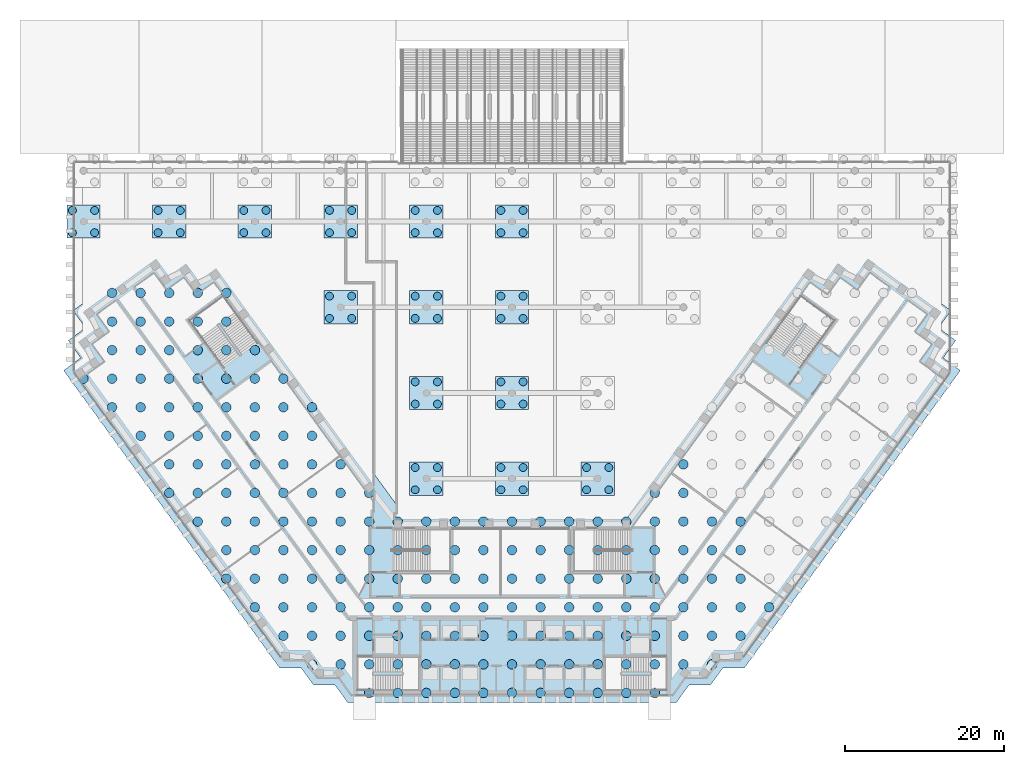
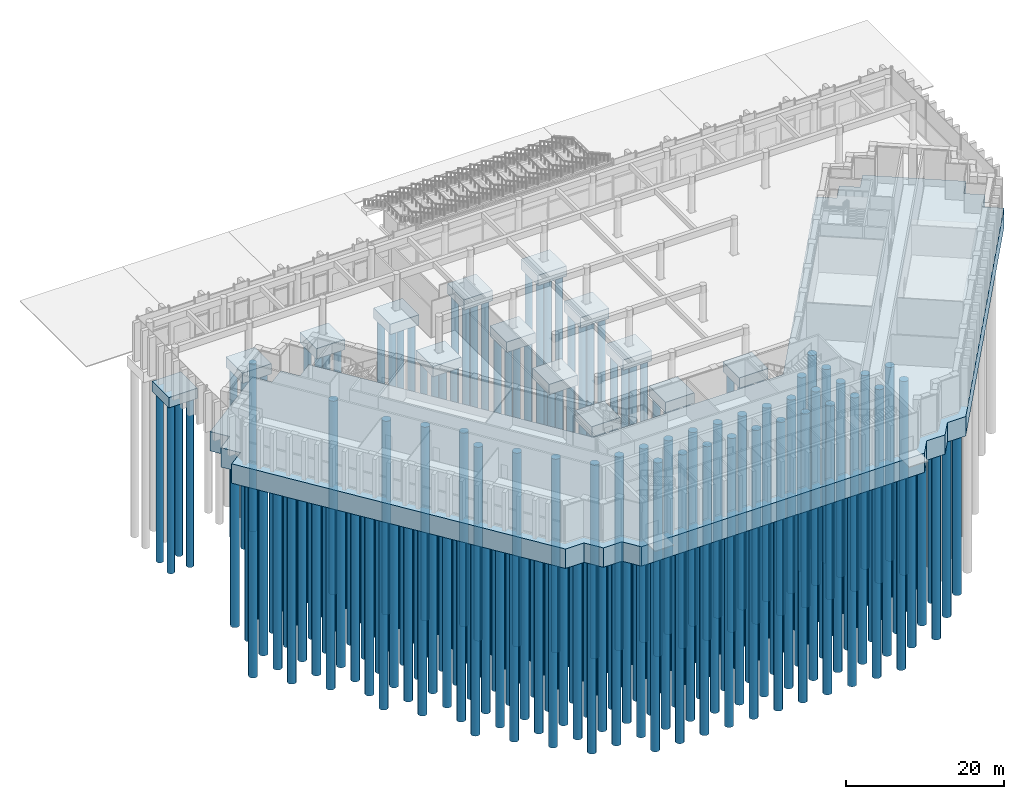
# One storey, part 1 of 32: 233 piles, 15 footings.
"""IFC4 building model written with IfcOpenShell, lengths in metres."""

from ifc_helpers import new_model, si_unit, direction, frame, origin, origin_2d, place, context, subcontext, project, spatial, polyline, rectangle, circle, outline, extrude, material, layer, layer_set, material_profile, profile_set, type_object, element, save


model = new_model("IFC4")

# Units and contexts
model_context = context("Model", 3, precision=1e-05, world=origin(), true_north=direction((0.0, 1.0)))
body_context = subcontext(model_context, "Body", "Model", "MODEL_VIEW")
ifc_project = project(units=[si_unit("LENGTHUNIT", "METRE"), si_unit("AREAUNIT", "SQUARE_METRE"), si_unit("VOLUMEUNIT", "CUBIC_METRE"), si_unit("PLANEANGLEUNIT", "RADIAN"), si_unit("MASSUNIT", "GRAM", prefix="KILO")], contexts=[model_context])

# Site, building, storey
site_placement = place(None, origin())
site = spatial("IfcSite", under=ifc_project, at=site_placement, CompositionType="ELEMENT")
building_placement = place(site_placement, origin())
building = spatial("IfcBuilding", under=site, at=building_placement, Name="Quipu Civic Tower", CompositionType="ELEMENT")
storey_placement = place(building_placement, origin())
storey = spatial("IfcBuildingStorey", under=building, at=storey_placement, Name="L00", CompositionType="ELEMENT", Elevation=0.0)

# Piles
ifc_material_1 = material(Name="Concrete C40/50", Category="concrete")
ifc_material_profile_1 = material_profile(ifc_material_1, circle(Radius=0.5, at=origin_2d()), Name="RCD1000")
ifc_profile_set_1 = profile_set([ifc_material_profile_1], Name="Concrete C40/50")
pile_type_1 = type_object("IfcPileType", Name="Bored pile D1000 C40/50", PredefinedType="BORED", material=ifc_profile_set_1)
for number, where, z_axis, x_axis, name in (
    (1, (-12.199951171875, 14.800048828125, -2.0), (0.0, 0.0, -1.0), (1.0, 0.0, 0.0), "Bored pile H01-1"),
    (2, (-9.39990234375, 14.800048828125, -2.0), (0.0, 0.0, -1.0), (1.0, 0.0, 0.0), "Bored pile H01-2"),
    (3, (-12.199951171875, 17.60009765625, -2.0), (0.0, 0.0, -1.0), (1.0, 0.0, 0.0), "Bored pile H01-3"),
    (4, (-9.39990234375, 17.60009765625, -2.0), (0.0, 0.0, -1.0), (1.0, 0.0, 0.0), "Bored pile H01-4"),
    (5, (-1.39990234375, 14.800048828125, -2.0), (0.0, 0.0, -1.0), (1.0, 0.0, 0.0), "Bored pile H02-1"),
    (6, (1.39990234375, 14.800048828125, -2.0), (0.0, 0.0, -1.0), (1.0, 0.0, 0.0), "Bored pile H02-2"),
    (7, (-1.39990234375, 17.60009765625, -2.0), (0.0, 0.0, -1.0), (1.0, 0.0, 0.0), "Bored pile H02-3"),
    (8, (1.39990234375, 17.60009765625, -2.0), (0.0, 0.0, -1.0), (1.0, 0.0, 0.0), "Bored pile H02-4"),
    (9, (9.39990234375, 14.800048828125, -2.0), (0.0, 0.0, -1.0), (1.0, 0.0, 0.0), "Bored pile H03-1"),
    (10, (12.199951171875, 14.800048828125, -2.0), (0.0, 0.0, -1.0), (1.0, 0.0, 0.0), "Bored pile H03-2"),
    (11, (9.39990234375, 17.60009765625, -2.0), (0.0, 0.0, -1.0), (1.0, 0.0, 0.0), "Bored pile H03-3"),
    (12, (12.199951171875, 17.60009765625, -2.0), (0.0, 0.0, -1.0), (1.0, 0.0, 0.0), "Bored pile H03-4"),
    (13, (-12.199951171875, 25.60009765625, -2.0), (0.0, 0.0, -1.0), (1.0, 0.0, 0.0), "Bored pile H04-1"),
    (14, (-9.39990234375, 25.60009765625, -2.0), (0.0, 0.0, -1.0), (1.0, 0.0, 0.0), "Bored pile H04-2"),
    (15, (-12.199951171875, 28.39990234375, -2.0), (0.0, 0.0, -1.0), (1.0, 0.0, 0.0), "Bored pile H04-3"),
    (16, (-9.39990234375, 28.39990234375, -2.0), (0.0, 0.0, -1.0), (1.0, 0.0, 0.0), "Bored pile H04-4"),
    (17, (-1.39990234375, 25.60009765625, -2.0), (0.0, 0.0, -1.0), (1.0, 0.0, 0.0), "Bored pile H05-1"),
    (18, (1.39990234375, 25.60009765625, -2.0), (0.0, 0.0, -1.0), (1.0, 0.0, 0.0), "Bored pile H05-2"),
    (19, (-1.39990234375, 28.39990234375, -2.0), (0.0, 0.0, -1.0), (1.0, 0.0, 0.0), "Bored pile H05-3"),
    (20, (1.39990234375, 28.39990234375, -2.0), (0.0, 0.0, -1.0), (1.0, 0.0, 0.0), "Bored pile H05-4"),
    (21, (-23.0, 36.39990234375, -2.0), (0.0, 0.0, -1.0), (1.0, 0.0, 0.0), "Bored pile H07-1"),
    (22, (-20.199951171875, 36.39990234375, -2.0), (0.0, 0.0, -1.0), (1.0, 0.0, 0.0), "Bored pile H07-2"),
    (23, (-23.0, 39.199951171875, -2.0), (0.0, 0.0, -1.0), (1.0, 0.0, 0.0), "Bored pile H07-3"),
    (24, (-20.199951171875, 39.199951171875, -2.0), (0.0, 0.0, -1.0), (1.0, 0.0, 0.0), "Bored pile H07-4"),
    (25, (-12.199951171875, 36.39990234375, -2.0), (0.0, 0.0, -1.0), (1.0, 0.0, 0.0), "Bored pile H08-1"),
    (26, (-9.39990234375, 36.39990234375, -2.0), (0.0, 0.0, -1.0), (1.0, 0.0, 0.0), "Bored pile H08-2"),
    (27, (-12.199951171875, 39.199951171875, -2.0), (0.0, 0.0, -1.0), (1.0, 0.0, 0.0), "Bored pile H08-3"),
    (28, (-9.39990234375, 39.199951171875, -2.0), (0.0, 0.0, -1.0), (1.0, 0.0, 0.0), "Bored pile H08-4"),
    (29, (-1.39990234375, 36.39990234375, -2.0), (0.0, 0.0, -1.0), (1.0, 0.0, 0.0), "Bored pile H09-1"),
    (30, (1.39990234375, 36.39990234375, -2.0), (0.0, 0.0, -1.0), (1.0, 0.0, 0.0), "Bored pile H09-2"),
    (31, (-1.39990234375, 39.199951171875, -2.0), (0.0, 0.0, -1.0), (1.0, 0.0, 0.0), "Bored pile H09-3"),
    (32, (1.39990234375, 39.199951171875, -2.0), (0.0, 0.0, -1.0), (1.0, 0.0, 0.0), "Bored pile H09-4"),
    (33, (-55.39990234375, 47.199951171875, -2.0), (0.0, 0.0, -1.0), (1.0, 0.0, 0.0), "Bored pile H12-1"),
    (34, (-52.60009765625, 47.199951171875, -2.0), (0.0, 0.0, -1.0), (1.0, 0.0, 0.0), "Bored pile H12-2"),
    (35, (-55.39990234375, 50.0, -2.0), (0.0, 0.0, -1.0), (1.0, 0.0, 0.0), "Bored pile H12-3"),
    (36, (-52.60009765625, 50.0, -2.0), (0.0, 0.0, -1.0), (1.0, 0.0, 0.0), "Bored pile H12-4"),
    (37, (-44.60009765625, 47.199951171875, -2.0), (0.0, 0.0, -1.0), (1.0, 0.0, 0.0), "Bored pile H13-1"),
    (38, (-41.800048828125, 47.199951171875, -2.0), (0.0, 0.0, -1.0), (1.0, 0.0, 0.0), "Bored pile H13-2"),
    (39, (-44.60009765625, 50.0, -2.0), (0.0, 0.0, -1.0), (1.0, 0.0, 0.0), "Bored pile H13-3"),
    (40, (-41.800048828125, 50.0, -2.0), (0.0, 0.0, -1.0), (1.0, 0.0, 0.0), "Bored pile H13-4"),
    (41, (-33.800048828125, 47.199951171875, -2.0), (0.0, 0.0, -1.0), (1.0, 0.0, 0.0), "Bored pile H14-1"),
    (42, (-31.0, 47.199951171875, -2.0), (0.0, 0.0, -1.0), (1.0, 0.0, 0.0), "Bored pile H14-2"),
    (43, (-33.800048828125, 50.0, -2.0), (0.0, 0.0, -1.0), (1.0, 0.0, 0.0), "Bored pile H14-3"),
    (44, (-31.0, 50.0, -2.0), (0.0, 0.0, -1.0), (1.0, 0.0, 0.0), "Bored pile H14-4"),
    (45, (-23.0, 47.199951171875, -2.0), (0.0, 0.0, -1.0), (1.0, 0.0, 0.0), "Bored pile H15-1"),
    (46, (-20.199951171875, 47.199951171875, -2.0), (0.0, 0.0, -1.0), (1.0, 0.0, 0.0), "Bored pile H15-2"),
    (47, (-23.0, 50.0, -2.0), (0.0, 0.0, -1.0), (1.0, 0.0, 0.0), "Bored pile H15-3"),
    (48, (-20.199951171875, 50.0, -2.0), (0.0, 0.0, -1.0), (1.0, 0.0, 0.0), "Bored pile H15-4"),
    (49, (-12.199951171875, 47.199951171875, -2.0), (0.0, 0.0, -1.0), (1.0, 0.0, 0.0), "Bored pile H16-1"),
    (50, (-9.39990234375, 47.199951171875, -2.0), (0.0, 0.0, -1.0), (1.0, 0.0, 0.0), "Bored pile H16-2"),
    (51, (-12.199951171875, 50.0, -2.0), (0.0, 0.0, -1.0), (1.0, 0.0, 0.0), "Bored pile H16-3"),
    (52, (-9.39990234375, 50.0, -2.0), (0.0, 0.0, -1.0), (1.0, 0.0, 0.0), "Bored pile H16-4"),
    (53, (-1.39990234375, 47.199951171875, -2.0), (0.0, 0.0, -1.0), (1.0, 0.0, 0.0), "Bored pile H17-1"),
    (54, (1.39990234375, 47.199951171875, -2.0), (0.0, 0.0, -1.0), (1.0, 0.0, 0.0), "Bored pile H17-2"),
    (55, (-1.39990234375, 50.0, -2.0), (0.0, 0.0, -1.0), (1.0, 0.0, 0.0), "Bored pile H17-3"),
    (56, (1.39990234375, 50.0, -2.0), (0.0, 0.0, -1.0), (1.0, 0.0, 0.0), "Bored pile H17-4"),
):
    element("IfcPile", number, at=place(storey_placement, frame(where, z_axis=z_axis, x_axis=x_axis)), inside=storey, type_object=pile_type_1, Name=name, PredefinedType="BORED", context=body_context, shape_type="SweptSolid", body=[
        extrude(circle(Radius=0.5, at=origin_2d()), origin(), (0.0, 0.0, 1.0), 26.0),
    ])
ifc_material_2 = material(Name="Concrete C40/50", Category="concrete")
ifc_material_profile_2 = material_profile(ifc_material_2, circle(Radius=0.60009765625, at=origin_2d()), Name="RCD1200")
ifc_profile_set_2 = profile_set([ifc_material_profile_2], Name="Concrete C40/50")
pile_type_2 = type_object("IfcPileType", Name="Bored pile D1200 C40/50", PredefinedType="BORED", material=ifc_profile_set_2)
for number, where, z_axis, x_axis, name in (
    (57, (-54.0, 28.800048828125, -3.39990234375), (0.0, 0.0, -1.0), (1.0, 0.0, 0.0), "Bored pile R1-001"),
    (58, (-50.39990234375, 25.199951171875, -3.39990234375), (0.0, 0.0, -1.0), (1.0, 0.0, 0.0), "Bored pile R1-002"),
    (59, (-50.39990234375, 28.800048828125, -3.39990234375), (0.0, 0.0, -1.0), (1.0, 0.0, 0.0), "Bored pile R1-003"),
    (60, (-50.39990234375, 32.39990234375, -3.39990234375), (0.0, 0.0, -1.0), (1.0, 0.0, 0.0), "Bored pile R1-004"),
    (61, (-50.39990234375, 36.0, -3.39990234375), (0.0, 0.0, -1.0), (1.0, 0.0, 0.0), "Bored pile R1-005"),
    (62, (-50.39990234375, 39.60009765625, -3.39990234375), (0.0, 0.0, -1.0), (1.0, 0.0, 0.0), "Bored pile R1-006"),
    (63, (-46.800048828125, 21.60009765625, -3.39990234375), (0.0, 0.0, -1.0), (1.0, 0.0, 0.0), "Bored pile R1-007"),
    (64, (-46.800048828125, 25.199951171875, -3.39990234375), (0.0, 0.0, -1.0), (1.0, 0.0, 0.0), "Bored pile R1-008"),
    (65, (-46.800048828125, 28.800048828125, -3.39990234375), (0.0, 0.0, -1.0), (1.0, 0.0, 0.0), "Bored pile R1-009"),
    (66, (-46.800048828125, 32.39990234375, -3.39990234375), (0.0, 0.0, -1.0), (1.0, 0.0, 0.0), "Bored pile R1-010"),
    (67, (-46.800048828125, 36.0, -3.39990234375), (0.0, 0.0, -1.0), (1.0, 0.0, 0.0), "Bored pile R1-011"),
    (68, (-46.800048828125, 39.60009765625, -3.39990234375), (0.0, 0.0, -1.0), (1.0, 0.0, 0.0), "Bored pile R1-012"),
    (69, (-43.199951171875, 14.39990234375, -3.39990234375), (0.0, 0.0, -1.0), (1.0, 0.0, 0.0), "Bored pile R1-013"),
    (70, (-43.199951171875, 18.0, -3.39990234375), (0.0, 0.0, -1.0), (1.0, 0.0, 0.0), "Bored pile R1-014"),
    (71, (-43.199951171875, 21.60009765625, -3.39990234375), (0.0, 0.0, -1.0), (1.0, 0.0, 0.0), "Bored pile R1-015"),
    (72, (-43.199951171875, 25.199951171875, -3.39990234375), (0.0, 0.0, -1.0), (1.0, 0.0, 0.0), "Bored pile R1-016"),
    (73, (-43.199951171875, 28.800048828125, -3.39990234375), (0.0, 0.0, -1.0), (1.0, 0.0, 0.0), "Bored pile R1-017"),
    (74, (-43.199951171875, 32.39990234375, -3.39990234375), (0.0, 0.0, -1.0), (1.0, 0.0, 0.0), "Bored pile R1-018"),
    (75, (-43.199951171875, 36.0, -3.39990234375), (0.0, 0.0, -1.0), (1.0, 0.0, 0.0), "Bored pile R1-019"),
    (76, (-43.199951171875, 39.60009765625, -3.39990234375), (0.0, 0.0, -1.0), (1.0, 0.0, 0.0), "Bored pile R1-020"),
    (77, (-39.60009765625, 10.800048828125, -3.39990234375), (0.0, 0.0, -1.0), (1.0, 0.0, 0.0), "Bored pile R1-021"),
    (78, (-39.60009765625, 14.39990234375, -3.39990234375), (0.0, 0.0, -1.0), (1.0, 0.0, 0.0), "Bored pile R1-022"),
    (79, (-39.60009765625, 18.0, -3.39990234375), (0.0, 0.0, -1.0), (1.0, 0.0, 0.0), "Bored pile R1-023"),
    (80, (-39.60009765625, 21.60009765625, -3.39990234375), (0.0, 0.0, -1.0), (1.0, 0.0, 0.0), "Bored pile R1-024"),
    (81, (-39.60009765625, 25.199951171875, -3.39990234375), (0.0, 0.0, -1.0), (1.0, 0.0, 0.0), "Bored pile R1-025"),
    (82, (-39.60009765625, 28.800048828125, -3.39990234375), (0.0, 0.0, -1.0), (1.0, 0.0, 0.0), "Bored pile R1-026"),
    (83, (-39.60009765625, 32.39990234375, -3.39990234375), (0.0, 0.0, -1.0), (1.0, 0.0, 0.0), "Bored pile R1-027"),
    (84, (-39.60009765625, 36.0, -3.39990234375), (0.0, 0.0, -1.0), (1.0, 0.0, 0.0), "Bored pile R1-028"),
    (85, (-39.60009765625, 39.60009765625, -3.39990234375), (0.0, 0.0, -1.0), (1.0, 0.0, 0.0), "Bored pile R1-029"),
    (86, (-36.0, 3.60009765625, -3.39990234375), (0.0, 0.0, -1.0), (1.0, 0.0, 0.0), "Bored pile R1-030"),
    (87, (-36.0, 7.199951171875, -3.39990234375), (0.0, 0.0, -1.0), (1.0, 0.0, 0.0), "Bored pile R1-031"),
    (88, (-36.0, 10.800048828125, -3.39990234375), (0.0, 0.0, -1.0), (1.0, 0.0, 0.0), "Bored pile R1-032"),
    (89, (-36.0, 14.39990234375, -3.39990234375), (0.0, 0.0, -1.0), (1.0, 0.0, 0.0), "Bored pile R1-033"),
    (90, (-36.0, 18.0, -3.39990234375), (0.0, 0.0, -1.0), (1.0, 0.0, 0.0), "Bored pile R1-034"),
    (91, (-36.0, 21.60009765625, -3.39990234375), (0.0, 0.0, -1.0), (1.0, 0.0, 0.0), "Bored pile R1-035"),
    (92, (-36.0, 25.199951171875, -3.39990234375), (0.0, 0.0, -1.0), (1.0, 0.0, 0.0), "Bored pile R1-036"),
    (93, (-36.0, 28.800048828125, -3.39990234375), (0.0, 0.0, -1.0), (1.0, 0.0, 0.0), "Bored pile R1-037"),
    (94, (-36.0, 32.39990234375, -3.39990234375), (0.0, 0.0, -1.0), (1.0, 0.0, 0.0), "Bored pile R1-038"),
    (95, (-36.0, 36.0, -3.39990234375), (0.0, 0.0, -1.0), (1.0, 0.0, 0.0), "Bored pile R1-039"),
    (96, (-36.0, 39.60009765625, -3.39990234375), (0.0, 0.0, -1.0), (1.0, 0.0, 0.0), "Bored pile R1-040"),
    (97, (-32.39990234375, 0.0, -3.39990234375), (0.0, 0.0, -1.0), (1.0, 0.0, 0.0), "Bored pile R1-041"),
    (98, (-32.39990234375, 3.60009765625, -3.39990234375), (0.0, 0.0, -1.0), (1.0, 0.0, 0.0), "Bored pile R1-042"),
    (99, (-32.39990234375, 7.199951171875, -3.39990234375), (0.0, 0.0, -1.0), (1.0, 0.0, 0.0), "Bored pile R1-043"),
    (100, (-32.39990234375, 10.800048828125, -3.39990234375), (0.0, 0.0, -1.0), (1.0, 0.0, 0.0), "Bored pile R1-044"),
    (101, (-32.39990234375, 14.39990234375, -3.39990234375), (0.0, 0.0, -1.0), (1.0, 0.0, 0.0), "Bored pile R1-045"),
    (102, (-32.39990234375, 18.0, -3.39990234375), (0.0, 0.0, -1.0), (1.0, 0.0, 0.0), "Bored pile R1-046"),
    (103, (-32.39990234375, 21.60009765625, -3.39990234375), (0.0, 0.0, -1.0), (1.0, 0.0, 0.0), "Bored pile R1-047"),
    (104, (-32.39990234375, 25.199951171875, -3.39990234375), (0.0, 0.0, -1.0), (1.0, 0.0, 0.0), "Bored pile R1-048"),
    (105, (-32.39990234375, 28.800048828125, -3.39990234375), (0.0, 0.0, -1.0), (1.0, 0.0, 0.0), "Bored pile R1-049"),
    (106, (-32.39990234375, 32.39990234375, -3.39990234375), (0.0, 0.0, -1.0), (1.0, 0.0, 0.0), "Bored pile R1-050"),
    (107, (-28.800048828125, -3.60009765625, -3.39990234375), (0.0, 0.0, -1.0), (1.0, 0.0, 0.0), "Bored pile R1-051"),
    (108, (-28.800048828125, 0.0, -3.39990234375), (0.0, 0.0, -1.0), (1.0, 0.0, 0.0), "Bored pile R1-052"),
    (109, (-28.800048828125, 3.60009765625, -3.39990234375), (0.0, 0.0, -1.0), (1.0, 0.0, 0.0), "Bored pile R1-053"),
    (110, (-28.800048828125, 7.199951171875, -3.39990234375), (0.0, 0.0, -1.0), (1.0, 0.0, 0.0), "Bored pile R1-054"),
    (111, (-28.800048828125, 10.800048828125, -3.39990234375), (0.0, 0.0, -1.0), (1.0, 0.0, 0.0), "Bored pile R1-055"),
    (112, (-28.800048828125, 14.39990234375, -3.39990234375), (0.0, 0.0, -1.0), (1.0, 0.0, 0.0), "Bored pile R1-056"),
    (113, (-28.800048828125, 18.0, -3.39990234375), (0.0, 0.0, -1.0), (1.0, 0.0, 0.0), "Bored pile R1-057"),
    (114, (-28.800048828125, 21.60009765625, -3.39990234375), (0.0, 0.0, -1.0), (1.0, 0.0, 0.0), "Bored pile R1-058"),
    (115, (-28.800048828125, 25.199951171875, -3.39990234375), (0.0, 0.0, -1.0), (1.0, 0.0, 0.0), "Bored pile R1-059"),
    (116, (-28.800048828125, 28.800048828125, -3.39990234375), (0.0, 0.0, -1.0), (1.0, 0.0, 0.0), "Bored pile R1-060"),
    (117, (-25.199951171875, -7.199951171875, -3.39990234375), (0.0, 0.0, -1.0), (1.0, 0.0, 0.0), "Bored pile R1-061"),
    (118, (-25.199951171875, -3.60009765625, -3.39990234375), (0.0, 0.0, -1.0), (1.0, 0.0, 0.0), "Bored pile R1-062"),
    (119, (-25.199951171875, 0.0, -3.39990234375), (0.0, 0.0, -1.0), (1.0, 0.0, 0.0), "Bored pile R1-063"),
    (120, (-25.199951171875, 3.60009765625, -3.39990234375), (0.0, 0.0, -1.0), (1.0, 0.0, 0.0), "Bored pile R1-064"),
    (121, (-25.199951171875, 7.199951171875, -3.39990234375), (0.0, 0.0, -1.0), (1.0, 0.0, 0.0), "Bored pile R1-065"),
    (122, (-25.199951171875, 10.800048828125, -3.39990234375), (0.0, 0.0, -1.0), (1.0, 0.0, 0.0), "Bored pile R1-066"),
    (123, (-25.199951171875, 14.39990234375, -3.39990234375), (0.0, 0.0, -1.0), (1.0, 0.0, 0.0), "Bored pile R1-067"),
    (124, (-25.199951171875, 18.0, -3.39990234375), (0.0, 0.0, -1.0), (1.0, 0.0, 0.0), "Bored pile R1-068"),
    (125, (-25.199951171875, 21.60009765625, -3.39990234375), (0.0, 0.0, -1.0), (1.0, 0.0, 0.0), "Bored pile R1-069"),
    (126, (-25.199951171875, 25.199951171875, -3.39990234375), (0.0, 0.0, -1.0), (1.0, 0.0, 0.0), "Bored pile R1-070"),
    (127, (-21.60009765625, -7.199951171875, -3.39990234375), (0.0, 0.0, -1.0), (1.0, 0.0, 0.0), "Bored pile R1-071"),
    (128, (-21.60009765625, -3.60009765625, -3.39990234375), (0.0, 0.0, -1.0), (1.0, 0.0, 0.0), "Bored pile R1-072"),
    (129, (-21.60009765625, 0.0, -3.39990234375), (0.0, 0.0, -1.0), (1.0, 0.0, 0.0), "Bored pile R1-073"),
    (130, (-21.60009765625, 3.60009765625, -3.39990234375), (0.0, 0.0, -1.0), (1.0, 0.0, 0.0), "Bored pile R1-074"),
    (131, (-21.60009765625, 7.199951171875, -3.39990234375), (0.0, 0.0, -1.0), (1.0, 0.0, 0.0), "Bored pile R1-075"),
    (132, (-21.60009765625, 10.800048828125, -3.39990234375), (0.0, 0.0, -1.0), (1.0, 0.0, 0.0), "Bored pile R1-076"),
    (133, (-21.60009765625, 14.39990234375, -3.39990234375), (0.0, 0.0, -1.0), (1.0, 0.0, 0.0), "Bored pile R1-077"),
    (134, (-21.60009765625, 18.0, -3.39990234375), (0.0, 0.0, -1.0), (1.0, 0.0, 0.0), "Bored pile R1-078"),
    (135, (-18.0, -10.800048828125, -3.39990234375), (0.0, 0.0, -1.0), (1.0, 0.0, 0.0), "Bored pile R1-079"),
    (136, (-18.0, -7.199951171875, -3.39990234375), (0.0, 0.0, -1.0), (1.0, 0.0, 0.0), "Bored pile R1-080"),
    (137, (-18.0, -3.60009765625, -3.39990234375), (0.0, 0.0, -1.0), (1.0, 0.0, 0.0), "Bored pile R1-081"),
    (138, (-18.0, 0.0, -3.39990234375), (0.0, 0.0, -1.0), (1.0, 0.0, 0.0), "Bored pile R1-082"),
    (139, (-18.0, 3.60009765625, -3.39990234375), (0.0, 0.0, -1.0), (1.0, 0.0, 0.0), "Bored pile R1-083"),
    (140, (-18.0, 7.199951171875, -3.39990234375), (0.0, 0.0, -1.0), (1.0, 0.0, 0.0), "Bored pile R1-084"),
    (141, (-18.0, 10.800048828125, -3.39990234375), (0.0, 0.0, -1.0), (1.0, 0.0, 0.0), "Bored pile R1-085"),
    (142, (-18.0, 14.39990234375, -3.39990234375), (0.0, 0.0, -1.0), (1.0, 0.0, 0.0), "Bored pile R1-086"),
    (143, (-14.39990234375, -10.800048828125, -3.39990234375), (0.0, 0.0, -1.0), (1.0, 0.0, 0.0), "Bored pile R1-087"),
    (144, (-14.39990234375, -7.199951171875, -3.39990234375), (0.0, 0.0, -1.0), (1.0, 0.0, 0.0), "Bored pile R1-088"),
    (145, (-14.39990234375, -3.60009765625, -3.39990234375), (0.0, 0.0, -1.0), (1.0, 0.0, 0.0), "Bored pile R1-089"),
    (146, (-14.39990234375, 0.0, -3.39990234375), (0.0, 0.0, -1.0), (1.0, 0.0, 0.0), "Bored pile R1-090"),
    (147, (-14.39990234375, 3.60009765625, -3.39990234375), (0.0, 0.0, -1.0), (1.0, 0.0, 0.0), "Bored pile R1-091"),
    (148, (-14.39990234375, 7.199951171875, -3.39990234375), (0.0, 0.0, -1.0), (1.0, 0.0, 0.0), "Bored pile R1-092"),
    (149, (-14.39990234375, 10.800048828125, -3.39990234375), (0.0, 0.0, -1.0), (1.0, 0.0, 0.0), "Bored pile R1-093"),
    (150, (-10.800048828125, -10.800048828125, -3.39990234375), (0.0, 0.0, -1.0), (1.0, 0.0, 0.0), "Bored pile R1-094"),
    (151, (-10.800048828125, -7.199951171875, -3.39990234375), (0.0, 0.0, -1.0), (1.0, 0.0, 0.0), "Bored pile R1-095"),
    (152, (-10.800048828125, -3.60009765625, -3.39990234375), (0.0, 0.0, -1.0), (1.0, 0.0, 0.0), "Bored pile R1-096"),
    (153, (-10.800048828125, 0.0, -3.39990234375), (0.0, 0.0, -1.0), (1.0, 0.0, 0.0), "Bored pile R1-097"),
    (154, (-10.800048828125, 3.60009765625, -3.39990234375), (0.0, 0.0, -1.0), (1.0, 0.0, 0.0), "Bored pile R1-098"),
    (155, (-10.800048828125, 7.199951171875, -3.39990234375), (0.0, 0.0, -1.0), (1.0, 0.0, 0.0), "Bored pile R1-099"),
    (156, (-10.800048828125, 10.800048828125, -3.39990234375), (0.0, 0.0, -1.0), (1.0, 0.0, 0.0), "Bored pile R1-100"),
    (157, (-7.199951171875, -10.800048828125, -3.39990234375), (0.0, 0.0, -1.0), (1.0, 0.0, 0.0), "Bored pile R1-101"),
    (158, (-7.199951171875, -7.199951171875, -3.39990234375), (0.0, 0.0, -1.0), (1.0, 0.0, 0.0), "Bored pile R1-102"),
    (159, (-7.199951171875, -3.60009765625, -3.39990234375), (0.0, 0.0, -1.0), (1.0, 0.0, 0.0), "Bored pile R1-103"),
    (160, (-7.199951171875, 0.0, -3.39990234375), (0.0, 0.0, -1.0), (1.0, 0.0, 0.0), "Bored pile R1-104"),
    (161, (-7.199951171875, 3.60009765625, -3.39990234375), (0.0, 0.0, -1.0), (1.0, 0.0, 0.0), "Bored pile R1-105"),
    (162, (-7.199951171875, 7.199951171875, -3.39990234375), (0.0, 0.0, -1.0), (1.0, 0.0, 0.0), "Bored pile R1-106"),
    (163, (-7.199951171875, 10.800048828125, -3.39990234375), (0.0, 0.0, -1.0), (1.0, 0.0, 0.0), "Bored pile R1-107"),
    (164, (-3.60009765625, -10.800048828125, -3.39990234375), (0.0, 0.0, -1.0), (1.0, 0.0, 0.0), "Bored pile R1-108"),
    (165, (-3.60009765625, -7.199951171875, -3.39990234375), (0.0, 0.0, -1.0), (1.0, 0.0, 0.0), "Bored pile R1-109"),
    (166, (-3.60009765625, -3.60009765625, -3.39990234375), (0.0, 0.0, -1.0), (1.0, 0.0, 0.0), "Bored pile R1-110"),
    (167, (-3.60009765625, 0.0, -3.39990234375), (0.0, 0.0, -1.0), (1.0, 0.0, 0.0), "Bored pile R1-111"),
    (168, (-3.60009765625, 3.60009765625, -3.39990234375), (0.0, 0.0, -1.0), (1.0, 0.0, 0.0), "Bored pile R1-112"),
    (169, (-3.60009765625, 7.199951171875, -3.39990234375), (0.0, 0.0, -1.0), (1.0, 0.0, 0.0), "Bored pile R1-113"),
    (170, (-3.60009765625, 10.800048828125, -3.39990234375), (0.0, 0.0, -1.0), (1.0, 0.0, 0.0), "Bored pile R1-114"),
    (171, (0.0, -10.800048828125, -3.39990234375), (0.0, 0.0, -1.0), (1.0, 0.0, 0.0), "Bored pile R1-115"),
    (172, (0.0, -7.199951171875, -3.39990234375), (0.0, 0.0, -1.0), (1.0, 0.0, 0.0), "Bored pile R1-116"),
    (173, (0.0, -3.60009765625, -3.39990234375), (0.0, 0.0, -1.0), (1.0, 0.0, 0.0), "Bored pile R1-117"),
    (174, (0.0, 0.0, -3.39990234375), (0.0, 0.0, -1.0), (1.0, 0.0, 0.0), "Bored pile R1-118"),
    (175, (0.0, 3.60009765625, -3.39990234375), (0.0, 0.0, -1.0), (1.0, 0.0, 0.0), "Bored pile R1-119"),
    (176, (0.0, 7.199951171875, -3.39990234375), (0.0, 0.0, -1.0), (1.0, 0.0, 0.0), "Bored pile R1-120"),
    (177, (0.0, 10.800048828125, -3.39990234375), (0.0, 0.0, -1.0), (1.0, 0.0, 0.0), "Bored pile R1-121"),
    (178, (3.60009765625, -10.800048828125, -3.39990234375), (0.0, 0.0, -1.0), (1.0, 0.0, 0.0), "Bored pile R1-122"),
    (179, (3.60009765625, -7.199951171875, -3.39990234375), (0.0, 0.0, -1.0), (1.0, 0.0, 0.0), "Bored pile R1-123"),
    (180, (3.60009765625, -3.60009765625, -3.39990234375), (0.0, 0.0, -1.0), (1.0, 0.0, 0.0), "Bored pile R1-124"),
    (181, (3.60009765625, 0.0, -3.39990234375), (0.0, 0.0, -1.0), (1.0, 0.0, 0.0), "Bored pile R1-125"),
    (182, (3.60009765625, 3.60009765625, -3.39990234375), (0.0, 0.0, -1.0), (1.0, 0.0, 0.0), "Bored pile R1-126"),
    (183, (3.60009765625, 7.199951171875, -3.39990234375), (0.0, 0.0, -1.0), (1.0, 0.0, 0.0), "Bored pile R1-127"),
    (184, (3.60009765625, 10.800048828125, -3.39990234375), (0.0, 0.0, -1.0), (1.0, 0.0, 0.0), "Bored pile R1-128"),
    (185, (7.199951171875, -10.800048828125, -3.39990234375), (0.0, 0.0, -1.0), (1.0, 0.0, 0.0), "Bored pile R1-129"),
    (186, (7.199951171875, -7.199951171875, -3.39990234375), (0.0, 0.0, -1.0), (1.0, 0.0, 0.0), "Bored pile R1-130"),
    (187, (7.199951171875, -3.60009765625, -3.39990234375), (0.0, 0.0, -1.0), (1.0, 0.0, 0.0), "Bored pile R1-131"),
    (188, (7.199951171875, 0.0, -3.39990234375), (0.0, 0.0, -1.0), (1.0, 0.0, 0.0), "Bored pile R1-132"),
    (189, (7.199951171875, 3.60009765625, -3.39990234375), (0.0, 0.0, -1.0), (1.0, 0.0, 0.0), "Bored pile R1-133"),
    (190, (7.199951171875, 7.199951171875, -3.39990234375), (0.0, 0.0, -1.0), (1.0, 0.0, 0.0), "Bored pile R1-134"),
    (191, (7.199951171875, 10.800048828125, -3.39990234375), (0.0, 0.0, -1.0), (1.0, 0.0, 0.0), "Bored pile R1-135"),
    (192, (10.800048828125, -10.800048828125, -3.39990234375), (0.0, 0.0, -1.0), (1.0, 0.0, 0.0), "Bored pile R1-136"),
    (193, (10.800048828125, -7.199951171875, -3.39990234375), (0.0, 0.0, -1.0), (1.0, 0.0, 0.0), "Bored pile R1-137"),
    (194, (10.800048828125, -3.60009765625, -3.39990234375), (0.0, 0.0, -1.0), (1.0, 0.0, 0.0), "Bored pile R1-138"),
    (195, (10.800048828125, 0.0, -3.39990234375), (0.0, 0.0, -1.0), (1.0, 0.0, 0.0), "Bored pile R1-139"),
    (196, (10.800048828125, 3.60009765625, -3.39990234375), (0.0, 0.0, -1.0), (1.0, 0.0, 0.0), "Bored pile R1-140"),
    (197, (10.800048828125, 7.199951171875, -3.39990234375), (0.0, 0.0, -1.0), (1.0, 0.0, 0.0), "Bored pile R1-141"),
    (198, (10.800048828125, 10.800048828125, -3.39990234375), (0.0, 0.0, -1.0), (1.0, 0.0, 0.0), "Bored pile R1-142"),
    (199, (14.39990234375, -10.800048828125, -3.39990234375), (0.0, 0.0, -1.0), (1.0, 0.0, 0.0), "Bored pile R1-143"),
    (200, (14.39990234375, -7.199951171875, -3.39990234375), (0.0, 0.0, -1.0), (1.0, 0.0, 0.0), "Bored pile R1-144"),
    (201, (14.39990234375, -3.60009765625, -3.39990234375), (0.0, 0.0, -1.0), (1.0, 0.0, 0.0), "Bored pile R1-145"),
    (202, (14.39990234375, 0.0, -3.39990234375), (0.0, 0.0, -1.0), (1.0, 0.0, 0.0), "Bored pile R1-146"),
    (203, (14.39990234375, 3.60009765625, -3.39990234375), (0.0, 0.0, -1.0), (1.0, 0.0, 0.0), "Bored pile R1-147"),
    (204, (14.39990234375, 7.199951171875, -3.39990234375), (0.0, 0.0, -1.0), (1.0, 0.0, 0.0), "Bored pile R1-148"),
    (205, (14.39990234375, 10.800048828125, -3.39990234375), (0.0, 0.0, -1.0), (1.0, 0.0, 0.0), "Bored pile R1-149"),
    (206, (18.0, -10.800048828125, -3.39990234375), (0.0, 0.0, -1.0), (1.0, 0.0, 0.0), "Bored pile R1-150"),
    (207, (18.0, -7.199951171875, -3.39990234375), (0.0, 0.0, -1.0), (1.0, 0.0, 0.0), "Bored pile R1-151"),
    (208, (18.0, -3.60009765625, -3.39990234375), (0.0, 0.0, -1.0), (1.0, 0.0, 0.0), "Bored pile R1-152"),
    (209, (18.0, 0.0, -3.39990234375), (0.0, 0.0, -1.0), (1.0, 0.0, 0.0), "Bored pile R1-153"),
    (210, (18.0, 3.60009765625, -3.39990234375), (0.0, 0.0, -1.0), (1.0, 0.0, 0.0), "Bored pile R1-154"),
    (211, (18.0, 7.199951171875, -3.39990234375), (0.0, 0.0, -1.0), (1.0, 0.0, 0.0), "Bored pile R1-155"),
    (212, (18.0, 10.800048828125, -3.39990234375), (0.0, 0.0, -1.0), (1.0, 0.0, 0.0), "Bored pile R1-156"),
    (213, (18.0, 14.39990234375, -3.39990234375), (0.0, 0.0, -1.0), (1.0, 0.0, 0.0), "Bored pile R1-157"),
    (214, (21.60009765625, -7.199951171875, -3.39990234375), (0.0, 0.0, -1.0), (1.0, 0.0, 0.0), "Bored pile R1-158"),
    (215, (21.60009765625, -3.60009765625, -3.39990234375), (0.0, 0.0, -1.0), (1.0, 0.0, 0.0), "Bored pile R1-159"),
    (216, (21.60009765625, 0.0, -3.39990234375), (0.0, 0.0, -1.0), (1.0, 0.0, 0.0), "Bored pile R1-160"),
    (217, (21.60009765625, 3.60009765625, -3.39990234375), (0.0, 0.0, -1.0), (1.0, 0.0, 0.0), "Bored pile R1-161"),
    (218, (21.60009765625, 7.199951171875, -3.39990234375), (0.0, 0.0, -1.0), (1.0, 0.0, 0.0), "Bored pile R1-162"),
    (219, (21.60009765625, 10.800048828125, -3.39990234375), (0.0, 0.0, -1.0), (1.0, 0.0, 0.0), "Bored pile R1-163"),
    (220, (21.60009765625, 14.39990234375, -3.39990234375), (0.0, 0.0, -1.0), (1.0, 0.0, 0.0), "Bored pile R1-164"),
    (221, (21.60009765625, 18.0, -3.39990234375), (0.0, 0.0, -1.0), (1.0, 0.0, 0.0), "Bored pile R1-165"),
    (222, (25.199951171875, -7.199951171875, -3.39990234375), (0.0, 0.0, -1.0), (1.0, 0.0, 0.0), "Bored pile R1-166"),
    (223, (25.199951171875, -3.60009765625, -3.39990234375), (0.0, 0.0, -1.0), (1.0, 0.0, 0.0), "Bored pile R1-167"),
    (224, (25.199951171875, 0.0, -3.39990234375), (0.0, 0.0, -1.0), (1.0, 0.0, 0.0), "Bored pile R1-168"),
    (225, (25.199951171875, 3.60009765625, -3.39990234375), (0.0, 0.0, -1.0), (1.0, 0.0, 0.0), "Bored pile R1-169"),
    (226, (25.199951171875, 7.199951171875, -3.39990234375), (0.0, 0.0, -1.0), (1.0, 0.0, 0.0), "Bored pile R1-170"),
    (227, (25.199951171875, 10.800048828125, -3.39990234375), (0.0, 0.0, -1.0), (1.0, 0.0, 0.0), "Bored pile R1-171"),
    (228, (28.800048828125, -3.60009765625, -3.39990234375), (0.0, 0.0, -1.0), (1.0, 0.0, 0.0), "Bored pile R1-176"),
    (229, (28.800048828125, 0.0, -3.39990234375), (0.0, 0.0, -1.0), (1.0, 0.0, 0.0), "Bored pile R1-177"),
    (230, (28.800048828125, 3.60009765625, -3.39990234375), (0.0, 0.0, -1.0), (1.0, 0.0, 0.0), "Bored pile R1-178"),
    (231, (28.800048828125, 7.199951171875, -3.39990234375), (0.0, 0.0, -1.0), (1.0, 0.0, 0.0), "Bored pile R1-179"),
    (232, (28.800048828125, 10.800048828125, -3.39990234375), (0.0, 0.0, -1.0), (1.0, 0.0, 0.0), "Bored pile R1-180"),
    (233, (32.39990234375, 0.0, -3.39990234375), (0.0, 0.0, -1.0), (1.0, 0.0, 0.0), "Bored pile R1-186"),
):
    element("IfcPile", number, at=place(storey_placement, frame(where, z_axis=z_axis, x_axis=x_axis)), inside=storey, type_object=pile_type_2, Name=name, PredefinedType="BORED", context=body_context, shape_type="SweptSolid", body=[
        extrude(circle(Radius=0.60009765625, at=origin_2d()), origin(), (0.0, 0.0, 1.0), 30.0),
    ])

# Footings
ifc_material_3 = material(Name="Concrete C50/60", Category="concrete")
footing_type_1 = type_object("IfcFootingType", Name="Pile cap 4200x4200 C50/60", PredefinedType="PILE_CAP", material=ifc_material_3)
for number, where, z_axis, x_axis, name in (
    (234, (-10.800048828125, 16.199951171875, -2.0), (0.0, 0.0, 1.0), (1.0, 0.0, 0.0), "Pile cap H01"),
    (235, (0.0, 16.199951171875, -2.0), (0.0, 0.0, 1.0), (1.0, 0.0, 0.0), "Pile cap H02"),
    (236, (10.800048828125, 16.199951171875, -2.0), (0.0, 0.0, 1.0), (1.0, 0.0, 0.0), "Pile cap H03"),
    (237, (-10.800048828125, 27.0, -2.0), (0.0, 0.0, 1.0), (1.0, 0.0, 0.0), "Pile cap H04"),
    (238, (0.0, 27.0, -2.0), (0.0, 0.0, 1.0), (1.0, 0.0, 0.0), "Pile cap H05"),
    (239, (-21.60009765625, 37.800048828125, -2.0), (0.0, 0.0, 1.0), (1.0, 0.0, 0.0), "Pile cap H07"),
    (240, (-10.800048828125, 37.800048828125, -2.0), (0.0, 0.0, 1.0), (1.0, 0.0, 0.0), "Pile cap H08"),
    (241, (0.0, 37.800048828125, -2.0), (0.0, 0.0, 1.0), (1.0, 0.0, 0.0), "Pile cap H09"),
    (242, (-54.0, 48.60009765625, -2.0), (0.0, 0.0, 1.0), (1.0, 0.0, 0.0), "Pile cap H12"),
    (243, (-43.199951171875, 48.60009765625, -2.0), (0.0, 0.0, 1.0), (1.0, 0.0, 0.0), "Pile cap H13"),
    (244, (-32.39990234375, 48.60009765625, -2.0), (0.0, 0.0, 1.0), (1.0, 0.0, 0.0), "Pile cap H14"),
    (245, (-21.60009765625, 48.60009765625, -2.0), (0.0, 0.0, 1.0), (1.0, 0.0, 0.0), "Pile cap H15"),
    (246, (-10.800048828125, 48.60009765625, -2.0), (0.0, 0.0, 1.0), (1.0, 0.0, 0.0), "Pile cap H16"),
    (247, (0.0, 48.60009765625, -2.0), (0.0, 0.0, 1.0), (1.0, 0.0, 0.0), "Pile cap H17"),
):
    element("IfcFooting", number, at=place(storey_placement, frame(where, z_axis=z_axis, x_axis=x_axis)), inside=storey, type_object=footing_type_1, Name=name, PredefinedType="PILE_CAP", context=body_context, shape_type="SweptSolid", body=[
        extrude(rectangle(XDim=4.199951171875, YDim=4.199951171875, at=origin_2d()), origin(), (0.0, 0.0, 1.0), 1.60009765625),
    ])
ifc_material_4 = material(Name="Concrete C40/50", Category="concrete")
ifc_layer = layer(ifc_material_4, 3.0)
ifc_layer_set = layer_set([ifc_layer], Name="Concrete C40/50")
footing_type_2 = type_object("IfcFootingType", Name="Piled raft 3000 C40/50", PredefinedType="PAD_FOOTING", material=ifc_layer_set)
footing_placement = place(storey_placement, frame((0.0, 0.0, -3.39990234375)))
element("IfcFooting", 248, at=footing_placement, inside=storey, type_object=footing_type_2, Name="Raft foundation R1", PredefinedType="PAD_FOOTING", context=body_context, shape_type="SweptSolid", body=[
    extrude(outline(polyline([(13.885009765625, 12.0), (37.094970703125, 43.945068359375), (39.280029296875, 42.360107421875), (40.864990234375, 44.5400390625), (43.050048828125, 42.955078125), (44.639892578125, 45.139892578125), (55.31494140625, 37.3798828125), (53.72998046875, 35.195068359375), (55.9150390625, 33.610107421875), (54.324951171875, 31.425048828125), (56.510009765625, 29.840087890625), (29.2900390625, -7.6298828125), (26.590087890625, -7.6298828125), (25.0, -9.81494140625), (22.300048828125, -9.81494140625), (20.715087890625, -12.0), (-20.715087890625, -12.0), (-22.300048828125, -9.81494140625), (-25.0, -9.81494140625), (-26.590087890625, -7.6298828125), (-29.2900390625, -7.6298828125), (-56.510009765625, 29.840087890625), (-54.324951171875, 31.425048828125), (-55.9150390625, 33.610107421875), (-53.72998046875, 35.195068359375), (-55.31494140625, 37.3798828125), (-44.639892578125, 45.139892578125), (-43.050048828125, 42.955078125), (-40.864990234375, 44.5400390625), (-39.280029296875, 42.360107421875), (-37.094970703125, 43.945068359375), (-13.885009765625, 12.0), (13.885009765625, 12.0)])), origin(), (0.0, 0.0, 1.0), 3.0),
])

save(model, "model.ifc")
